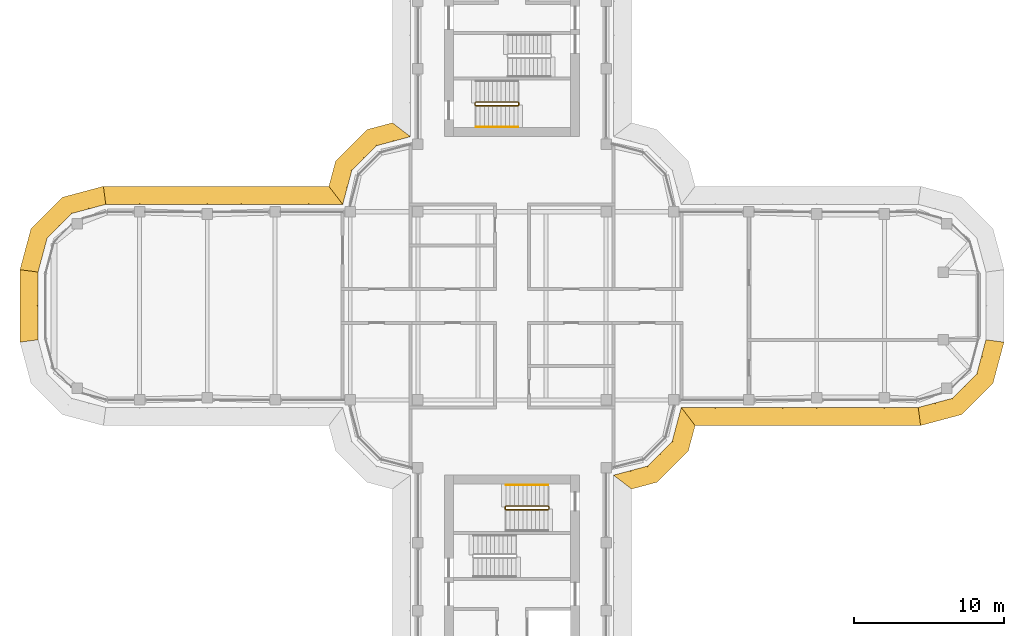
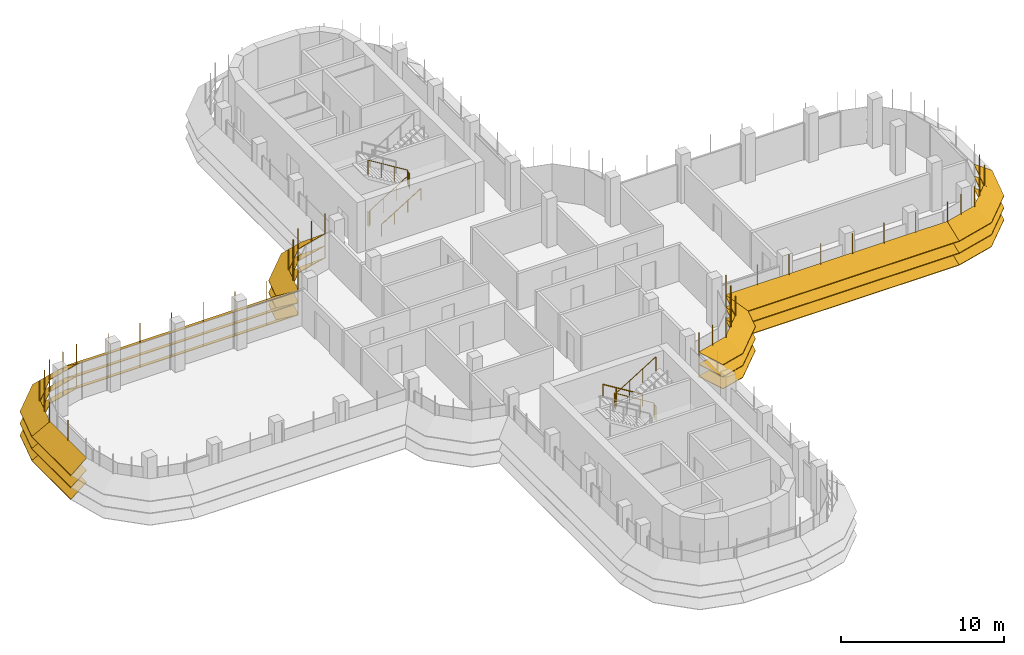
# One storey, part 17 of 19: 7 shading devices, 4 railings.
"""IFC4 building model written with IfcOpenShell, lengths in metres."""

from ifc_helpers import new_model, si_unit, direction, frame, origin, origin_2d, place, context, subcontext, project, spatial, polyline, circle, outline, extrude, faceted_brep, source, transform, mapped, material, type_object, element, save


model = new_model("IFC4")

# Units and contexts
model_context = context("Model", 3, precision=1e-05, world=origin(), true_north=direction((0.0, 1.0)))
body_context = subcontext(model_context, "Body", "Model", "MODEL_VIEW")
ifc_project = project(units=[si_unit("LENGTHUNIT", "METRE"), si_unit("AREAUNIT", "SQUARE_METRE"), si_unit("VOLUMEUNIT", "CUBIC_METRE"), si_unit("PLANEANGLEUNIT", "RADIAN"), si_unit("MASSUNIT", "GRAM", prefix="KILO")], contexts=[model_context])

# Site, building, storey
site_placement = place(None, origin())
site = spatial("IfcSite", under=ifc_project, at=site_placement, CompositionType="ELEMENT")
building_placement = place(site_placement, origin())
building = spatial("IfcBuilding", under=site, at=building_placement, Name="Zarbagh Exchange Tower", CompositionType="ELEMENT")
storey_placement = place(building_placement, frame((0.0, 0.0, 229.60009765625)))
storey = spatial("IfcBuildingStorey", under=building, at=storey_placement, Name="L56", CompositionType="ELEMENT", Elevation=229.60009765625)

# Railings
ifc_material_1 = material(Name="Stainless steel", Category="steel")
railing_type_1 = type_object("IfcRailingType", Name="Stair guard 1100 mm", PredefinedType="GUARDRAIL", material=ifc_material_1)
railing_1_placement = place(storey_placement, frame((-2.449951171875, 13.5, 0.0)))
element("IfcRailing", 1, at=railing_1_placement, inside=storey, type_object=railing_type_1, Name="ST2 stair guard 1", PredefinedType="GUARDRAIL", context=body_context, shape_type="SweptSolid", body=[
    extrude(circle(Radius=0.02392578125, at=origin_2d()), frame((0.0, 0.0, 1.076171875), z_axis=(0.0, -1.0, 0.0), x_axis=(1.0, 0.0, 0.0)), (0.0, 0.0, 1.0), 0.14990234375),
    extrude(circle(Radius=0.02392578125, at=origin_2d()), frame((0.0, -0.14990234375, 1.076171875), z_axis=(0.268277960024, -0.268277960024, 0.925231793839), x_axis=(0.707106781187, 0.707106781187, 0.0)), (0.0, 0.0, 1.0), 0.1865234375),
    extrude(circle(Radius=0.02392578125, at=origin_2d()), frame((0.050048828125, -0.199951171875, 1.24853515625), z_axis=(0.851069175582, 0.0, 0.525053576669), x_axis=(0.0, 1.0, 0.0)), (0.0, 0.0, 1.0), 3.289794921875),
    extrude(circle(Radius=0.02392578125, at=origin_2d()), frame((2.849853515625, -0.199951171875, 2.97607421875), z_axis=(0.707106781187, 0.707106781187, 0.0), x_axis=(-0.707106781187, 0.707106781187, 0.0)), (0.0, 0.0, 1.0), 0.07080078125),
    extrude(circle(Radius=0.02392578125, at=origin_2d()), frame((2.89990234375, -0.14990234375, 2.97607421875), z_axis=(0.0, 1.0, 0.0), x_axis=(-1.0, 0.0, 0.0)), (0.0, 0.0, 1.0), 0.14990234375),
    extrude(circle(Radius=0.02392578125, at=origin_2d()), frame((2.89990234375, 0.0, 2.97607421875), z_axis=(-0.268277960024, 0.268277960024, 0.925231793839), x_axis=(-0.707106781187, -0.707106781187, 0.0)), (0.0, 0.0, 1.0), 0.1865234375),
    extrude(circle(Radius=0.02392578125, at=origin_2d()), frame((2.849853515625, 0.050048828125, 3.1484375), z_axis=(-0.851069175582, 0.0, 0.525053576669), x_axis=(0.0, -1.0, 0.0)), (0.0, 0.0, 1.0), 3.289794921875),
    extrude(circle(Radius=0.02099609375, at=origin_2d()), origin(), (0.0, 0.0, 1.0), 1.052001953125),
    extrude(circle(Radius=0.02099609375, at=origin_2d()), frame((0.0, -0.14990234375, 0.0)), (0.0, 0.0, 1.0), 1.052001953125),
    extrude(circle(Radius=0.02099609375, at=origin_2d()), frame((0.050048828125, -0.199951171875, 0.172607421875)), (0.0, 0.0, 1.0), 1.052001953125),
    extrude(circle(Radius=0.02099609375, at=origin_2d()), frame((0.9833984375, -0.199951171875, 0.748291015625)), (0.0, 0.0, 1.0), 1.052001953125),
    extrude(circle(Radius=0.02099609375, at=origin_2d()), frame((1.91650390625, -0.199951171875, 1.32421875)), (0.0, 0.0, 1.0), 1.052001953125),
    extrude(circle(Radius=0.02099609375, at=origin_2d()), frame((2.849853515625, -0.199951171875, 1.89990234375)), (0.0, 0.0, 1.0), 1.052001953125),
    extrude(circle(Radius=0.02099609375, at=origin_2d()), frame((2.89990234375, -0.14990234375, 1.89990234375)), (0.0, 0.0, 1.0), 1.052001953125),
    extrude(circle(Radius=0.02099609375, at=origin_2d()), frame((2.89990234375, 0.0, 1.89990234375)), (0.0, 0.0, 1.0), 1.052001953125),
    extrude(circle(Radius=0.02099609375, at=origin_2d()), frame((2.849853515625, 0.050048828125, 2.072509765625)), (0.0, 0.0, 1.0), 1.052001953125),
    extrude(circle(Radius=0.02099609375, at=origin_2d()), frame((1.91650390625, 0.050048828125, 2.648193359375)), (0.0, 0.0, 1.0), 1.052001953125),
    extrude(circle(Radius=0.02099609375, at=origin_2d()), frame((0.9833984375, 0.050048828125, 3.22412109375)), (0.0, 0.0, 1.0), 1.052001953125),
    extrude(circle(Radius=0.02099609375, at=origin_2d()), frame((0.050048828125, 0.050048828125, 3.7998046875)), (0.0, 0.0, 1.0), 1.052001953125),
])
railing_2_placement = place(storey_placement, frame((2.449951171875, -13.5, 0.0)))
element("IfcRailing", 2, at=railing_2_placement, inside=storey, type_object=railing_type_1, Name="ST4 stair guard 1", PredefinedType="GUARDRAIL", context=body_context, shape_type="SweptSolid", body=[
    extrude(circle(Radius=0.02392578125, at=origin_2d()), frame((0.0, 0.0, 1.076171875), z_axis=(0.0, 1.0, 0.0), x_axis=(-1.0, 0.0, 0.0)), (0.0, 0.0, 1.0), 0.14990234375),
    extrude(circle(Radius=0.02392578125, at=origin_2d()), frame((0.0, 0.14990234375, 1.076171875), z_axis=(-0.268277960024, 0.268277960024, 0.925231793839), x_axis=(-0.707106781187, -0.707106781187, 0.0)), (0.0, 0.0, 1.0), 0.1865234375),
    extrude(circle(Radius=0.02392578125, at=origin_2d()), frame((-0.050048828125, 0.199951171875, 1.24853515625), z_axis=(-0.851069175582, 0.0, 0.525053576669), x_axis=(0.0, -1.0, 0.0)), (0.0, 0.0, 1.0), 3.289794921875),
    extrude(circle(Radius=0.02392578125, at=origin_2d()), frame((-2.849853515625, 0.199951171875, 2.97607421875), z_axis=(-0.707106781187, -0.707106781187, 0.0), x_axis=(0.707106781187, -0.707106781187, 0.0)), (0.0, 0.0, 1.0), 0.07080078125),
    extrude(circle(Radius=0.02392578125, at=origin_2d()), frame((-2.89990234375, 0.14990234375, 2.97607421875), z_axis=(0.0, -1.0, 0.0), x_axis=(1.0, 0.0, 0.0)), (0.0, 0.0, 1.0), 0.14990234375),
    extrude(circle(Radius=0.02392578125, at=origin_2d()), frame((-2.89990234375, 0.0, 2.97607421875), z_axis=(0.268277960024, -0.268277960024, 0.925231793839), x_axis=(0.707106781187, 0.707106781187, 0.0)), (0.0, 0.0, 1.0), 0.1865234375),
    extrude(circle(Radius=0.02392578125, at=origin_2d()), frame((-2.849853515625, -0.050048828125, 3.1484375), z_axis=(0.851069175582, 0.0, 0.525053576669), x_axis=(0.0, 1.0, 0.0)), (0.0, 0.0, 1.0), 3.289794921875),
    extrude(circle(Radius=0.02099609375, at=origin_2d()), origin(), (0.0, 0.0, 1.0), 1.052001953125),
    extrude(circle(Radius=0.02099609375, at=origin_2d()), frame((0.0, 0.14990234375, 0.0)), (0.0, 0.0, 1.0), 1.052001953125),
    extrude(circle(Radius=0.02099609375, at=origin_2d()), frame((-0.050048828125, 0.199951171875, 0.172607421875)), (0.0, 0.0, 1.0), 1.052001953125),
    extrude(circle(Radius=0.02099609375, at=origin_2d()), frame((-0.9833984375, 0.199951171875, 0.748291015625)), (0.0, 0.0, 1.0), 1.052001953125),
    extrude(circle(Radius=0.02099609375, at=origin_2d()), frame((-1.91650390625, 0.199951171875, 1.32421875)), (0.0, 0.0, 1.0), 1.052001953125),
    extrude(circle(Radius=0.02099609375, at=origin_2d()), frame((-2.849853515625, 0.199951171875, 1.89990234375)), (0.0, 0.0, 1.0), 1.052001953125),
    extrude(circle(Radius=0.02099609375, at=origin_2d()), frame((-2.89990234375, 0.14990234375, 1.89990234375)), (0.0, 0.0, 1.0), 1.052001953125),
    extrude(circle(Radius=0.02099609375, at=origin_2d()), frame((-2.89990234375, 0.0, 1.89990234375)), (0.0, 0.0, 1.0), 1.052001953125),
    extrude(circle(Radius=0.02099609375, at=origin_2d()), frame((-2.849853515625, -0.050048828125, 2.072509765625)), (0.0, 0.0, 1.0), 1.052001953125),
    extrude(circle(Radius=0.02099609375, at=origin_2d()), frame((-1.91650390625, -0.050048828125, 2.648193359375)), (0.0, 0.0, 1.0), 1.052001953125),
    extrude(circle(Radius=0.02099609375, at=origin_2d()), frame((-0.9833984375, -0.050048828125, 3.22412109375)), (0.0, 0.0, 1.0), 1.052001953125),
    extrude(circle(Radius=0.02099609375, at=origin_2d()), frame((-0.050048828125, -0.050048828125, 3.7998046875)), (0.0, 0.0, 1.0), 1.052001953125),
])
railing_type_2 = type_object("IfcRailingType", Name="Stair handrail 900 mm", PredefinedType="HANDRAIL", material=ifc_material_1)
railing_3_placement = place(storey_placement, frame((-2.39990234375, 11.89990234375, 0.172607421875)))
element("IfcRailing", 3, at=railing_3_placement, inside=storey, type_object=railing_type_2, Name="ST2 stair handrail 1", PredefinedType="HANDRAIL", context=body_context, shape_type="SweptSolid", body=[
    extrude(circle(Radius=0.02392578125, at=origin_2d()), frame((0.0, 0.0, 0.8759765625), z_axis=(0.851069175582, 0.0, 0.525053576669), x_axis=(0.0, 1.0, 0.0)), (0.0, 0.0, 1.0), 3.289794921875),
    extrude(circle(Radius=0.02099609375, at=origin_2d()), origin(), (0.0, 0.0, 1.0), 0.851806640625),
    extrude(circle(Radius=0.02099609375, at=origin_2d()), frame((0.933349609375, 0.0, 0.57568359375)), (0.0, 0.0, 1.0), 0.851806640625),
    extrude(circle(Radius=0.02099609375, at=origin_2d()), frame((1.866455078125, 0.0, 1.151611328125)), (0.0, 0.0, 1.0), 0.851806640625),
    extrude(circle(Radius=0.02099609375, at=origin_2d()), frame((2.7998046875, 0.0, 1.727294921875)), (0.0, 0.0, 1.0), 0.851806640625),
])
railing_4_placement = place(storey_placement, frame((2.39990234375, -11.89990234375, 0.172607421875)))
element("IfcRailing", 4, at=railing_4_placement, inside=storey, type_object=railing_type_2, Name="ST4 stair handrail 1", PredefinedType="HANDRAIL", context=body_context, shape_type="SweptSolid", body=[
    extrude(circle(Radius=0.02392578125, at=origin_2d()), frame((0.0, 0.0, 0.8759765625), z_axis=(-0.851069175582, 0.0, 0.525053576669), x_axis=(0.0, -1.0, 0.0)), (0.0, 0.0, 1.0), 3.289794921875),
    extrude(circle(Radius=0.02099609375, at=origin_2d()), origin(), (0.0, 0.0, 1.0), 0.851806640625),
    extrude(circle(Radius=0.02099609375, at=origin_2d()), frame((-0.933349609375, 0.0, 0.57568359375)), (0.0, 0.0, 1.0), 0.851806640625),
    extrude(circle(Radius=0.02099609375, at=origin_2d()), frame((-1.866455078125, 0.0, 1.151611328125)), (0.0, 0.0, 1.0), 0.851806640625),
    extrude(circle(Radius=0.02099609375, at=origin_2d()), frame((-2.7998046875, 0.0, 1.727294921875)), (0.0, 0.0, 1.0), 0.851806640625),
])

# Shading devices
ifc_material_2 = material(Name="Anodised aluminium blades and brackets", Category="aluminium")
shading_device_type = type_object("IfcShadingDeviceType", Name="SUNSHADE louvre band, 33.75 degree blades", PredefinedType="JALOUSIE", material=ifc_material_2)
shared_shape_1 = source(origin(), body_context, "Body", "Brep", [
    faceted_brep([(0.0, 0.0, 0.0), (0.0, 0.0, -0.048095703125), (-0.157958984375, -1.199951171875, -0.849853515625), (-0.157958984375, -1.199951171875, -0.8017578125), (2.65087890625, -1.199951171875, -0.8017578125), (2.65087890625, -1.199951171875, -0.849853515625), (2.329345703125, 0.0, -0.048095703125), (2.329345703125, 0.0, 0.0)], [[[0, 1, 2, 3]], [[4, 5, 6, 7]], [[0, 7, 6, 1]], [[1, 6, 5, 2]], [[2, 5, 4, 3]], [[3, 4, 7, 0]]]),
])
shared_shape_2 = source(origin(), body_context, "Body", "Brep", [
    faceted_brep([(0.0, 0.0, 0.0), (0.0, 0.0, -0.048095703125), (-0.321533203125, -1.199951171875, -0.849853515625), (-0.321533203125, -1.199951171875, -0.8017578125), (2.65087890625, -1.199951171875, -0.8017578125), (2.65087890625, -1.199951171875, -0.849853515625), (2.329345703125, 0.0, -0.048095703125), (2.329345703125, 0.0, 0.0)], [[[0, 1, 2, 3]], [[4, 5, 6, 7]], [[0, 7, 6, 1]], [[1, 6, 5, 2]], [[2, 5, 4, 3]], [[3, 4, 7, 0]]]),
])
shared_shape_3 = source(origin(), body_context, "Body", "Brep", [
    faceted_brep([(0.0, 0.0, 0.0), (0.0, 0.0, -0.048095703125), (-0.321533203125, -1.199951171875, -0.849853515625), (-0.321533203125, -1.199951171875, -0.8017578125), (2.4873046875, -1.199951171875, -0.8017578125), (2.4873046875, -1.199951171875, -0.849853515625), (2.329345703125, 0.0, -0.048095703125), (2.329345703125, 0.0, 0.0)], [[[0, 1, 2, 3]], [[4, 5, 6, 7]], [[0, 7, 6, 1]], [[1, 6, 5, 2]], [[2, 5, 4, 3]], [[3, 4, 7, 0]]]),
])
shared_shape_4 = source(origin(), body_context, "Body", "SweptSolid", [
    extrude(outline(polyline([(0.0, -0.012451171875), (0.06005859375, -0.012451171875), (0.06005859375, 0.012451171875), (0.0, 0.012451171875), (0.0, -0.012451171875)])), origin(), (0.0, 0.0, 1.0), 3.358154296875),
])
placement = place(storey_placement, origin())
element("IfcShadingDevice", 5, at=placement, inside=storey, type_object=shading_device_type, Name="SS31 sunshade band", PredefinedType="JALOUSIE", context=body_context, shape_type="MappedRepresentation", body=[
    mapped(shared_shape_1, transform((27.0, -6.75, 2.2998046875), x_axis=(0.965924289636, 0.258824779902, 0.0), y_axis=(-0.258824779902, 0.965924289636, 0.0), z_axis=(0.0, 0.0, 1.0))),
    mapped(shared_shape_1, transform((27.0, -6.75, 1.39990234375), x_axis=(0.965924289636, 0.258824779902, 0.0), y_axis=(-0.258824779902, 0.965924289636, 0.0), z_axis=(0.0, 0.0, 1.0))),
    mapped(shared_shape_1, transform((27.0, -6.75, 0.5), x_axis=(0.965924289636, 0.258824779902, 0.0), y_axis=(-0.258824779902, 0.965924289636, 0.0), z_axis=(0.0, 0.0, 1.0))),
    mapped(shared_shape_2, transform((29.25, -6.147216796875, 2.2998046875), x_axis=(0.707106781187, 0.707106781187, 0.0), y_axis=(-0.707106781187, 0.707106781187, 0.0), z_axis=(0.0, 0.0, 1.0))),
    mapped(shared_shape_2, transform((29.25, -6.147216796875, 1.39990234375), x_axis=(0.707106781187, 0.707106781187, 0.0), y_axis=(-0.707106781187, 0.707106781187, 0.0), z_axis=(0.0, 0.0, 1.0))),
    mapped(shared_shape_2, transform((29.25, -6.147216796875, 0.5), x_axis=(0.707106781187, 0.707106781187, 0.0), y_axis=(-0.707106781187, 0.707106781187, 0.0), z_axis=(0.0, 0.0, 1.0))),
    mapped(shared_shape_3, transform((30.897216796875, -4.5, 2.2998046875), x_axis=(0.258824779902, 0.965924289636, 0.0), y_axis=(-0.965924289636, 0.258824779902, 0.0), z_axis=(0.0, 0.0, 1.0))),
    mapped(shared_shape_3, transform((30.897216796875, -4.5, 1.39990234375), x_axis=(0.258824779902, 0.965924289636, 0.0), y_axis=(-0.965924289636, 0.258824779902, 0.0), z_axis=(0.0, 0.0, 1.0))),
    mapped(shared_shape_3, transform((30.897216796875, -4.5, 0.5), x_axis=(0.258824779902, 0.965924289636, 0.0), y_axis=(-0.965924289636, 0.258824779902, 0.0), z_axis=(0.0, 0.0, 1.0))),
    mapped(shared_shape_4, transform((27.0, -6.75, 0.421875), x_axis=(0.130529263012, -0.991444457092, 0.0), y_axis=(0.991444457092, 0.130529263012, 0.0), z_axis=(0.0, 0.0, 1.0))),
    mapped(shared_shape_4, transform((28.125, -6.448486328125, 0.421875), x_axis=(0.258825058029, -0.96592421511, 0.0), y_axis=(0.96592421511, 0.258825058029, 0.0), z_axis=(0.0, 0.0, 1.0))),
    mapped(shared_shape_4, transform((29.25, -6.147216796875, 0.421875), x_axis=(0.50000275701, -0.866023812018, 0.0), y_axis=(0.866023812018, 0.50000275701, 0.0), z_axis=(0.0, 0.0, 1.0))),
    mapped(shared_shape_4, transform((30.073486328125, -5.323486328125, 0.421875), x_axis=(0.707106781187, -0.707106781187, 0.0), y_axis=(0.707106781187, 0.707106781187, 0.0), z_axis=(0.0, 0.0, 1.0))),
    mapped(shared_shape_4, transform((30.897216796875, -4.5, 0.421875), x_axis=(0.866023812018, -0.50000275701, 0.0), y_axis=(0.50000275701, 0.866023812018, 0.0), z_axis=(0.0, 0.0, 1.0))),
    mapped(shared_shape_4, transform((31.198486328125, -3.375, 0.421875), x_axis=(0.96592421511, -0.258825058029, 0.0), y_axis=(0.258825058029, 0.96592421511, 0.0), z_axis=(0.0, 0.0, 1.0))),
])
element("IfcShadingDevice", 6, at=placement, inside=storey, type_object=shading_device_type, Name="SS41 sunshade band", PredefinedType="JALOUSIE", context=body_context, shape_type="MappedRepresentation", body=[
    mapped(shared_shape_1, transform((-27.0, 6.75, 2.2998046875), x_axis=(-0.965924289636, -0.258824779902, 0.0), y_axis=(0.258824779902, -0.965924289636, 0.0), z_axis=(0.0, 0.0, 1.0))),
    mapped(shared_shape_1, transform((-27.0, 6.75, 1.39990234375), x_axis=(-0.965924289636, -0.258824779902, 0.0), y_axis=(0.258824779902, -0.965924289636, 0.0), z_axis=(0.0, 0.0, 1.0))),
    mapped(shared_shape_1, transform((-27.0, 6.75, 0.5), x_axis=(-0.965924289636, -0.258824779902, 0.0), y_axis=(0.258824779902, -0.965924289636, 0.0), z_axis=(0.0, 0.0, 1.0))),
    mapped(shared_shape_2, transform((-29.25, 6.147216796875, 2.2998046875), x_axis=(-0.707106781187, -0.707106781187, 0.0), y_axis=(0.707106781187, -0.707106781187, 0.0), z_axis=(0.0, 0.0, 1.0))),
    mapped(shared_shape_2, transform((-29.25, 6.147216796875, 1.39990234375), x_axis=(-0.707106781187, -0.707106781187, 0.0), y_axis=(0.707106781187, -0.707106781187, 0.0), z_axis=(0.0, 0.0, 1.0))),
    mapped(shared_shape_2, transform((-29.25, 6.147216796875, 0.5), x_axis=(-0.707106781187, -0.707106781187, 0.0), y_axis=(0.707106781187, -0.707106781187, 0.0), z_axis=(0.0, 0.0, 1.0))),
    mapped(shared_shape_3, transform((-30.897216796875, 4.5, 2.2998046875), x_axis=(-0.258824779902, -0.965924289636, 0.0), y_axis=(0.965924289636, -0.258824779902, 0.0), z_axis=(0.0, 0.0, 1.0))),
    mapped(shared_shape_3, transform((-30.897216796875, 4.5, 1.39990234375), x_axis=(-0.258824779902, -0.965924289636, 0.0), y_axis=(0.965924289636, -0.258824779902, 0.0), z_axis=(0.0, 0.0, 1.0))),
    mapped(shared_shape_3, transform((-30.897216796875, 4.5, 0.5), x_axis=(-0.258824779902, -0.965924289636, 0.0), y_axis=(0.965924289636, -0.258824779902, 0.0), z_axis=(0.0, 0.0, 1.0))),
    mapped(shared_shape_4, transform((-27.0, 6.75, 0.421875), x_axis=(-0.130529263012, 0.991444457092, 0.0), y_axis=(-0.991444457092, -0.130529263012, 0.0), z_axis=(0.0, 0.0, 1.0))),
    mapped(shared_shape_4, transform((-28.125, 6.448486328125, 0.421875), x_axis=(-0.258825058029, 0.96592421511, 0.0), y_axis=(-0.96592421511, -0.258825058029, 0.0), z_axis=(0.0, 0.0, 1.0))),
    mapped(shared_shape_4, transform((-29.25, 6.147216796875, 0.421875), x_axis=(-0.50000275701, 0.866023812018, 0.0), y_axis=(-0.866023812018, -0.50000275701, 0.0), z_axis=(0.0, 0.0, 1.0))),
    mapped(shared_shape_4, transform((-30.073486328125, 5.323486328125, 0.421875), x_axis=(-0.707106781187, 0.707106781187, 0.0), y_axis=(-0.707106781187, -0.707106781187, 0.0), z_axis=(0.0, 0.0, 1.0))),
    mapped(shared_shape_4, transform((-30.897216796875, 4.5, 0.421875), x_axis=(-0.866023812018, 0.50000275701, 0.0), y_axis=(-0.50000275701, -0.866023812018, 0.0), z_axis=(0.0, 0.0, 1.0))),
    mapped(shared_shape_4, transform((-31.198486328125, 3.375, 0.421875), x_axis=(-0.96592421511, 0.258825058029, 0.0), y_axis=(-0.258825058029, -0.96592421511, 0.0), z_axis=(0.0, 0.0, 1.0))),
])
shared_shape_5 = source(origin(), body_context, "Body", "Brep", [
    faceted_brep([(0.0, 0.0, 0.0), (0.0, 0.0, -0.048095703125), (0.9208984375, -1.199951171875, -0.849853515625), (0.9208984375, -1.199951171875, -0.8017578125), (2.65087890625, -1.199951171875, -0.8017578125), (2.65087890625, -1.199951171875, -0.849853515625), (2.329345703125, 0.0, -0.048095703125), (2.329345703125, 0.0, 0.0)], [[[0, 1, 2, 3]], [[4, 5, 6, 7]], [[0, 7, 6, 1]], [[1, 6, 5, 2]], [[2, 5, 4, 3]], [[3, 4, 7, 0]]]),
])
shared_shape_6 = source(origin(), body_context, "Body", "Brep", [
    faceted_brep([(0.0, 0.0, 0.0), (0.0, 0.0, -0.048095703125), (-0.321533203125, -1.199951171875, -0.849853515625), (-0.321533203125, -1.199951171875, -0.8017578125), (1.40869140625, -1.199951171875, -0.8017578125), (1.40869140625, -1.199951171875, -0.849853515625), (2.329345703125, 0.0, -0.048095703125), (2.329345703125, 0.0, 0.0)], [[[0, 1, 2, 3]], [[4, 5, 6, 7]], [[0, 7, 6, 1]], [[1, 6, 5, 2]], [[2, 5, 4, 3]], [[3, 4, 7, 0]]]),
])
element("IfcShadingDevice", 7, at=placement, inside=storey, type_object=shading_device_type, Name="SS03 sunshade band", PredefinedType="JALOUSIE", context=body_context, shape_type="MappedRepresentation", body=[
    mapped(shared_shape_5, transform((6.75, -11.25, 2.2998046875), x_axis=(0.965924289636, 0.258824779902, 0.0), y_axis=(-0.258824779902, 0.965924289636, 0.0), z_axis=(0.0, 0.0, 1.0))),
    mapped(shared_shape_5, transform((6.75, -11.25, 1.39990234375), x_axis=(0.965924289636, 0.258824779902, 0.0), y_axis=(-0.258824779902, 0.965924289636, 0.0), z_axis=(0.0, 0.0, 1.0))),
    mapped(shared_shape_5, transform((6.75, -11.25, 0.5), x_axis=(0.965924289636, 0.258824779902, 0.0), y_axis=(-0.258824779902, 0.965924289636, 0.0), z_axis=(0.0, 0.0, 1.0))),
    mapped(shared_shape_2, transform((9.0, -10.647216796875, 2.2998046875), x_axis=(0.707106781187, 0.707106781187, 0.0), y_axis=(-0.707106781187, 0.707106781187, 0.0), z_axis=(0.0, 0.0, 1.0))),
    mapped(shared_shape_2, transform((9.0, -10.647216796875, 1.39990234375), x_axis=(0.707106781187, 0.707106781187, 0.0), y_axis=(-0.707106781187, 0.707106781187, 0.0), z_axis=(0.0, 0.0, 1.0))),
    mapped(shared_shape_2, transform((9.0, -10.647216796875, 0.5), x_axis=(0.707106781187, 0.707106781187, 0.0), y_axis=(-0.707106781187, 0.707106781187, 0.0), z_axis=(0.0, 0.0, 1.0))),
    mapped(shared_shape_6, transform((10.647216796875, -9.0, 2.2998046875), x_axis=(0.258824779902, 0.965924289636, 0.0), y_axis=(-0.965924289636, 0.258824779902, 0.0), z_axis=(0.0, 0.0, 1.0))),
    mapped(shared_shape_6, transform((10.647216796875, -9.0, 1.39990234375), x_axis=(0.258824779902, 0.965924289636, 0.0), y_axis=(-0.965924289636, 0.258824779902, 0.0), z_axis=(0.0, 0.0, 1.0))),
    mapped(shared_shape_6, transform((10.647216796875, -9.0, 0.5), x_axis=(0.258824779902, 0.965924289636, 0.0), y_axis=(-0.965924289636, 0.258824779902, 0.0), z_axis=(0.0, 0.0, 1.0))),
    mapped(shared_shape_4, transform((6.75, -11.25, 0.421875), x_axis=(0.793355287, -0.608758892, 0.0), y_axis=(0.608758892, 0.793355287, 0.0), z_axis=(0.0, 0.0, 1.0))),
    mapped(shared_shape_4, transform((7.875, -10.948486328125, 0.421875), x_axis=(0.258825058029, -0.96592421511, 0.0), y_axis=(0.96592421511, 0.258825058029, 0.0), z_axis=(0.0, 0.0, 1.0))),
    mapped(shared_shape_4, transform((9.0, -10.647216796875, 0.421875), x_axis=(0.50000275701, -0.866023812018, 0.0), y_axis=(0.866023812018, 0.50000275701, 0.0), z_axis=(0.0, 0.0, 1.0))),
    mapped(shared_shape_4, transform((9.823486328125, -9.823486328125, 0.421875), x_axis=(0.707106781187, -0.707106781187, 0.0), y_axis=(0.707106781187, 0.707106781187, 0.0), z_axis=(0.0, 0.0, 1.0))),
    mapped(shared_shape_4, transform((10.647216796875, -9.0, 0.421875), x_axis=(0.866023812018, -0.50000275701, 0.0), y_axis=(0.50000275701, 0.866023812018, 0.0), z_axis=(0.0, 0.0, 1.0))),
    mapped(shared_shape_4, transform((10.948486328125, -7.875, 0.421875), x_axis=(0.96592421511, -0.258825058029, 0.0), y_axis=(0.258825058029, 0.96592421511, 0.0), z_axis=(0.0, 0.0, 1.0))),
])
element("IfcShadingDevice", 8, at=placement, inside=storey, type_object=shading_device_type, Name="SS15 sunshade band", PredefinedType="JALOUSIE", context=body_context, shape_type="MappedRepresentation", body=[
    mapped(shared_shape_5, transform((-6.75, 11.25, 2.2998046875), x_axis=(-0.965924289636, -0.258824779902, 0.0), y_axis=(0.258824779902, -0.965924289636, 0.0), z_axis=(0.0, 0.0, 1.0))),
    mapped(shared_shape_5, transform((-6.75, 11.25, 1.39990234375), x_axis=(-0.965924289636, -0.258824779902, 0.0), y_axis=(0.258824779902, -0.965924289636, 0.0), z_axis=(0.0, 0.0, 1.0))),
    mapped(shared_shape_5, transform((-6.75, 11.25, 0.5), x_axis=(-0.965924289636, -0.258824779902, 0.0), y_axis=(0.258824779902, -0.965924289636, 0.0), z_axis=(0.0, 0.0, 1.0))),
    mapped(shared_shape_2, transform((-9.0, 10.647216796875, 2.2998046875), x_axis=(-0.707106781187, -0.707106781187, 0.0), y_axis=(0.707106781187, -0.707106781187, 0.0), z_axis=(0.0, 0.0, 1.0))),
    mapped(shared_shape_2, transform((-9.0, 10.647216796875, 1.39990234375), x_axis=(-0.707106781187, -0.707106781187, 0.0), y_axis=(0.707106781187, -0.707106781187, 0.0), z_axis=(0.0, 0.0, 1.0))),
    mapped(shared_shape_2, transform((-9.0, 10.647216796875, 0.5), x_axis=(-0.707106781187, -0.707106781187, 0.0), y_axis=(0.707106781187, -0.707106781187, 0.0), z_axis=(0.0, 0.0, 1.0))),
    mapped(shared_shape_6, transform((-10.647216796875, 9.0, 2.2998046875), x_axis=(-0.258824779902, -0.965924289636, 0.0), y_axis=(0.965924289636, -0.258824779902, 0.0), z_axis=(0.0, 0.0, 1.0))),
    mapped(shared_shape_6, transform((-10.647216796875, 9.0, 1.39990234375), x_axis=(-0.258824779902, -0.965924289636, 0.0), y_axis=(0.965924289636, -0.258824779902, 0.0), z_axis=(0.0, 0.0, 1.0))),
    mapped(shared_shape_6, transform((-10.647216796875, 9.0, 0.5), x_axis=(-0.258824779902, -0.965924289636, 0.0), y_axis=(0.965924289636, -0.258824779902, 0.0), z_axis=(0.0, 0.0, 1.0))),
    mapped(shared_shape_4, transform((-6.75, 11.25, 0.421875), x_axis=(-0.793355287, 0.608758892, 0.0), y_axis=(-0.608758892, -0.793355287, 0.0), z_axis=(0.0, 0.0, 1.0))),
    mapped(shared_shape_4, transform((-7.875, 10.948486328125, 0.421875), x_axis=(-0.258825058029, 0.96592421511, 0.0), y_axis=(-0.96592421511, -0.258825058029, 0.0), z_axis=(0.0, 0.0, 1.0))),
    mapped(shared_shape_4, transform((-9.0, 10.647216796875, 0.421875), x_axis=(-0.50000275701, 0.866023812018, 0.0), y_axis=(-0.866023812018, -0.50000275701, 0.0), z_axis=(0.0, 0.0, 1.0))),
    mapped(shared_shape_4, transform((-9.823486328125, 9.823486328125, 0.421875), x_axis=(-0.707106781187, 0.707106781187, 0.0), y_axis=(-0.707106781187, -0.707106781187, 0.0), z_axis=(0.0, 0.0, 1.0))),
    mapped(shared_shape_4, transform((-10.647216796875, 9.0, 0.421875), x_axis=(-0.866023812018, 0.50000275701, 0.0), y_axis=(-0.50000275701, -0.866023812018, 0.0), z_axis=(0.0, 0.0, 1.0))),
    mapped(shared_shape_4, transform((-10.948486328125, 7.875, 0.421875), x_axis=(-0.96592421511, 0.258825058029, 0.0), y_axis=(-0.258825058029, -0.96592421511, 0.0), z_axis=(0.0, 0.0, 1.0))),
])
shared_shape_7 = source(origin(), body_context, "Body", "Brep", [
    faceted_brep([(0.0, 0.0, 0.0), (0.0, 0.0, -0.048095703125), (0.9208984375, -1.199951171875, -0.849853515625), (0.9208984375, -1.199951171875, -0.8017578125), (15.907958984375, -1.199951171875, -0.8017578125), (15.907958984375, -1.199951171875, -0.849853515625), (15.75, 0.0, -0.048095703125), (15.75, 0.0, 0.0)], [[[0, 1, 2, 3]], [[4, 5, 6, 7]], [[0, 7, 6, 1]], [[1, 6, 5, 2]], [[2, 5, 4, 3]], [[3, 4, 7, 0]]]),
])
element("IfcShadingDevice", 9, at=placement, inside=storey, type_object=shading_device_type, Name="SS30 sunshade band", PredefinedType="JALOUSIE", context=body_context, shape_type="MappedRepresentation", body=[
    mapped(shared_shape_7, transform((11.25, -6.75, 2.2998046875), x_axis=(1.0, 0.0, 0.0), y_axis=(0.0, 1.0, 0.0), z_axis=(0.0, 0.0, 1.0))),
    mapped(shared_shape_7, transform((11.25, -6.75, 1.39990234375), x_axis=(1.0, 0.0, 0.0), y_axis=(0.0, 1.0, 0.0), z_axis=(0.0, 0.0, 1.0))),
    mapped(shared_shape_7, transform((11.25, -6.75, 0.5), x_axis=(1.0, 0.0, 0.0), y_axis=(0.0, 1.0, 0.0), z_axis=(0.0, 0.0, 1.0))),
    mapped(shared_shape_4, transform((11.25, -6.75, 0.421875), x_axis=(0.608758892, -0.793355287, 0.0), y_axis=(0.793355287, 0.608758892, 0.0), z_axis=(0.0, 0.0, 1.0))),
    mapped(shared_shape_4, transform((13.5, -6.75, 0.421875), x_axis=(0.0, -1.0, 0.0), y_axis=(1.0, 0.0, 0.0), z_axis=(0.0, 0.0, 1.0))),
    mapped(shared_shape_4, transform((15.75, -6.75, 0.421875), x_axis=(0.0, -1.0, 0.0), y_axis=(1.0, 0.0, 0.0), z_axis=(0.0, 0.0, 1.0))),
    mapped(shared_shape_4, transform((18.0, -6.75, 0.421875), x_axis=(0.0, -1.0, 0.0), y_axis=(1.0, 0.0, 0.0), z_axis=(0.0, 0.0, 1.0))),
    mapped(shared_shape_4, transform((20.25, -6.75, 0.421875), x_axis=(0.0, -1.0, 0.0), y_axis=(1.0, 0.0, 0.0), z_axis=(0.0, 0.0, 1.0))),
    mapped(shared_shape_4, transform((22.5, -6.75, 0.421875), x_axis=(0.0, -1.0, 0.0), y_axis=(1.0, 0.0, 0.0), z_axis=(0.0, 0.0, 1.0))),
    mapped(shared_shape_4, transform((24.75, -6.75, 0.421875), x_axis=(0.0, -1.0, 0.0), y_axis=(1.0, 0.0, 0.0), z_axis=(0.0, 0.0, 1.0))),
])
element("IfcShadingDevice", 10, at=placement, inside=storey, type_object=shading_device_type, Name="SS40 sunshade band", PredefinedType="JALOUSIE", context=body_context, shape_type="MappedRepresentation", body=[
    mapped(shared_shape_7, transform((-11.25, 6.75, 2.2998046875), x_axis=(-1.0, 0.0, 0.0), y_axis=(0.0, -1.0, 0.0), z_axis=(0.0, 0.0, 1.0))),
    mapped(shared_shape_7, transform((-11.25, 6.75, 1.39990234375), x_axis=(-1.0, 0.0, 0.0), y_axis=(0.0, -1.0, 0.0), z_axis=(0.0, 0.0, 1.0))),
    mapped(shared_shape_7, transform((-11.25, 6.75, 0.5), x_axis=(-1.0, 0.0, 0.0), y_axis=(0.0, -1.0, 0.0), z_axis=(0.0, 0.0, 1.0))),
    mapped(shared_shape_4, transform((-11.25, 6.75, 0.421875), x_axis=(-0.608758892, 0.793355287, 0.0), y_axis=(-0.793355287, -0.608758892, 0.0), z_axis=(0.0, 0.0, 1.0))),
    mapped(shared_shape_4, transform((-13.5, 6.75, 0.421875), x_axis=(0.0, 1.0, 0.0), y_axis=(-1.0, 0.0, 0.0), z_axis=(0.0, 0.0, 1.0))),
    mapped(shared_shape_4, transform((-15.75, 6.75, 0.421875), x_axis=(0.0, 1.0, 0.0), y_axis=(-1.0, 0.0, 0.0), z_axis=(0.0, 0.0, 1.0))),
    mapped(shared_shape_4, transform((-18.0, 6.75, 0.421875), x_axis=(0.0, 1.0, 0.0), y_axis=(-1.0, 0.0, 0.0), z_axis=(0.0, 0.0, 1.0))),
    mapped(shared_shape_4, transform((-20.25, 6.75, 0.421875), x_axis=(0.0, 1.0, 0.0), y_axis=(-1.0, 0.0, 0.0), z_axis=(0.0, 0.0, 1.0))),
    mapped(shared_shape_4, transform((-22.5, 6.75, 0.421875), x_axis=(0.0, 1.0, 0.0), y_axis=(-1.0, 0.0, 0.0), z_axis=(0.0, 0.0, 1.0))),
    mapped(shared_shape_4, transform((-24.75, 6.75, 0.421875), x_axis=(0.0, 1.0, 0.0), y_axis=(-1.0, 0.0, 0.0), z_axis=(0.0, 0.0, 1.0))),
])
shared_shape_8 = source(origin(), body_context, "Body", "Brep", [
    faceted_brep([(0.0, 0.0, 0.0), (0.0, 0.0, -0.048095703125), (-0.157958984375, -1.199951171875, -0.849853515625), (-0.157958984375, -1.199951171875, -0.8017578125), (4.657958984375, -1.199951171875, -0.8017578125), (4.657958984375, -1.199951171875, -0.849853515625), (4.5, 0.0, -0.048095703125), (4.5, 0.0, 0.0)], [[[0, 1, 2, 3]], [[4, 5, 6, 7]], [[0, 7, 6, 1]], [[1, 6, 5, 2]], [[2, 5, 4, 3]], [[3, 4, 7, 0]]]),
])
element("IfcShadingDevice", 11, at=placement, inside=storey, type_object=shading_device_type, Name="SS42 sunshade band", PredefinedType="JALOUSIE", context=body_context, shape_type="MappedRepresentation", body=[
    mapped(shared_shape_8, transform((-31.5, 2.25, 2.2998046875), x_axis=(0.0, -1.0, 0.0), y_axis=(1.0, 0.0, 0.0), z_axis=(0.0, 0.0, 1.0))),
    mapped(shared_shape_8, transform((-31.5, 2.25, 1.39990234375), x_axis=(0.0, -1.0, 0.0), y_axis=(1.0, 0.0, 0.0), z_axis=(0.0, 0.0, 1.0))),
    mapped(shared_shape_8, transform((-31.5, 2.25, 0.5), x_axis=(0.0, -1.0, 0.0), y_axis=(1.0, 0.0, 0.0), z_axis=(0.0, 0.0, 1.0))),
    mapped(shared_shape_4, transform((-31.5, 2.25, 0.421875), x_axis=(-0.991444457092, 0.130529263012, 0.0), y_axis=(-0.130529263012, -0.991444457092, 0.0), z_axis=(0.0, 0.0, 1.0))),
    mapped(shared_shape_4, transform((-31.5, 0.0, 0.421875), x_axis=(-1.0, 0.0, 0.0), y_axis=(0.0, -1.0, 0.0), z_axis=(0.0, 0.0, 1.0))),
])

save(model, "model.ifc")
